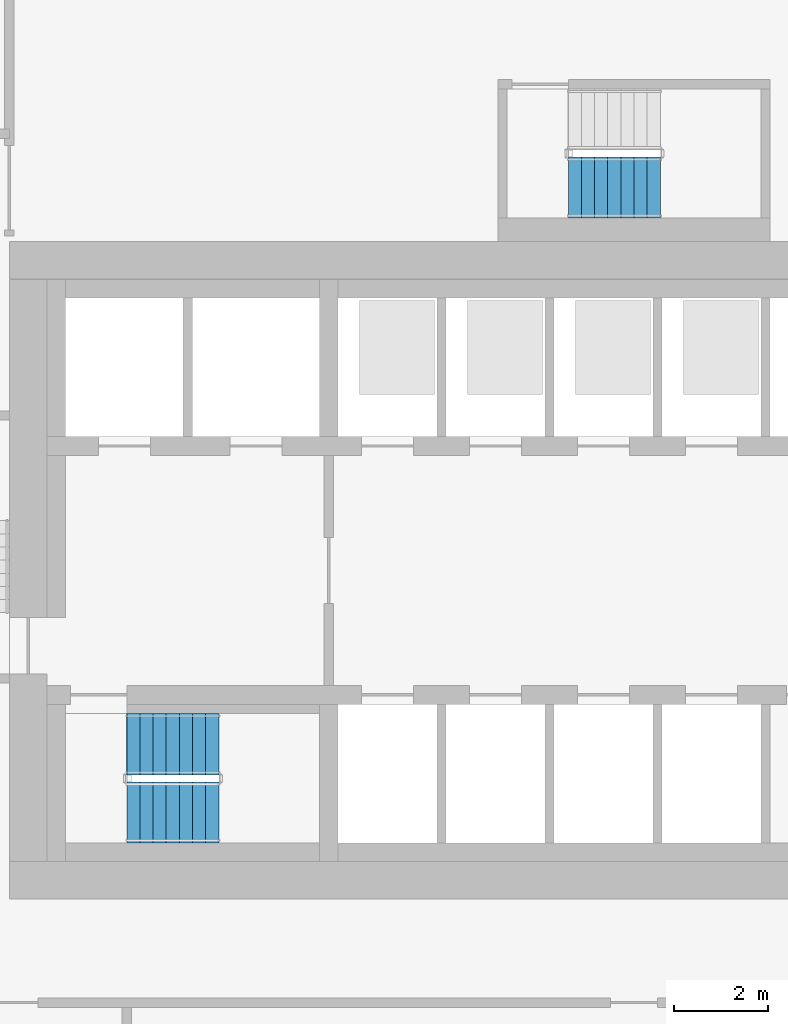
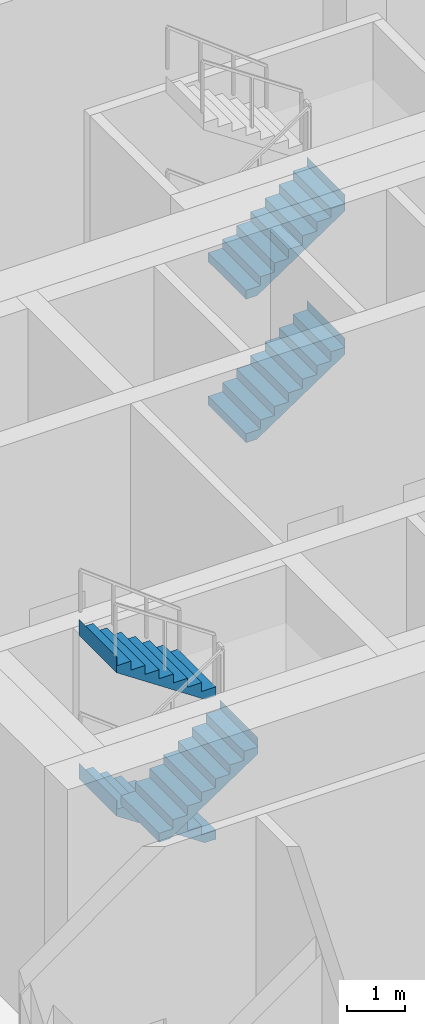
# One storey, part 19 of 27: 5 stair flights, 2 elements without a shape of their own.
"""IFC4 building model written with IfcOpenShell, lengths in metres."""

from ifc_helpers import new_model, si_unit, direction, frame, origin, place, context, subcontext, project, spatial, triangles, material, type_object, element, aggregate, save


model = new_model("IFC4")

# Units and contexts
model_context = context("Model", 3, precision=1e-05, world=origin(), true_north=direction((0.0, 1.0)))
body_context = subcontext(model_context, "Body", "Model", "MODEL_VIEW")
ifc_project = project(units=[si_unit("LENGTHUNIT", "METRE"), si_unit("AREAUNIT", "SQUARE_METRE"), si_unit("VOLUMEUNIT", "CUBIC_METRE"), si_unit("PLANEANGLEUNIT", "RADIAN"), si_unit("MASSUNIT", "GRAM", prefix="KILO")], contexts=[model_context])

# Site, building, storey
site_placement = place(None, origin())
site = spatial("IfcSite", under=ifc_project, at=site_placement, CompositionType="ELEMENT")
building_placement = place(site_placement, origin())
building = spatial("IfcBuilding", under=site, at=building_placement, Name="Beryl Residences", CompositionType="ELEMENT")
storey_placement = place(building_placement, frame((0.0, 0.0, 111.60009765625)))
storey = spatial("IfcBuildingStorey", under=building, at=storey_placement, Name="L34", CompositionType="ELEMENT", Elevation=111.60009765625)

# Stair, stair flights
ifc_material_1 = material(Name="Concrete C40/50", Category="concrete")
stair_type = type_object("IfcStairType", Name="ST1 protected exit stair, half-turn, 1300 mm flights", PredefinedType="HALF_TURN_STAIR", material=ifc_material_1)
stair_1_placement = place(storey_placement, origin())
stair_1 = element("IfcStair", 1, at=stair_1_placement, inside=storey, type_object=stair_type, Name="L34 PROTECTED EXIT STAIR ST-1", PredefinedType="HALF_TURN_STAIR")
ifc_material_2 = material(Name="Concrete C40/50", Category="concrete")
stair_flight_type = type_object("IfcStairFlightType", Name="SF1 stair flight 1300 mm", PredefinedType="STRAIGHT", material=ifc_material_2)
stair_flight_1_placement = place(storey_placement, frame((-8.840087890625, -15.699951171875, 1.5), z_axis=(0.0, 0.0, 1.0), x_axis=(-1.0, 0.0, 0.0)))
stair_flight_1 = element("IfcStairFlight", 2, at=stair_flight_1_placement, type_object=stair_flight_type, Name="ST-1 flight 2", NumberOfRisers=8, NumberOfTreads=7, PredefinedType="STRAIGHT", RiserHeight=0.1875, TreadLength=0.28, context=body_context, shape_type="Tessellation", body=[
    triangles([(0.0, -0.64990234375, 0.0), (0.0, -0.324951171875, 0.0), (0.0, 0.0, 0.0), (0.0, 0.324951171875, 0.0), (0.0, 0.64990234375, 0.0), (0.0, -0.64990234375, 0.1875), (0.0, -0.324951171875, 0.1875), (0.0, 0.0, 0.1875), (0.0, 0.324951171875, 0.1875), (0.0, 0.64990234375, 0.1875), (0.280029296875, -0.64990234375, 0.1875), (0.280029296875, -0.324951171875, 0.1875), (0.280029296875, 0.0, 0.1875), (0.280029296875, 0.324951171875, 0.1875), (0.280029296875, 0.64990234375, 0.1875), (0.280029296875, -0.64990234375, 0.375), (0.280029296875, -0.324951171875, 0.375), (0.280029296875, 0.0, 0.375), (0.280029296875, 0.324951171875, 0.375), (0.280029296875, 0.64990234375, 0.375), (0.56005859375, -0.64990234375, 0.375), (0.56005859375, -0.324951171875, 0.375), (0.56005859375, 0.0, 0.375), (0.56005859375, 0.324951171875, 0.375), (0.56005859375, 0.64990234375, 0.375), (0.56005859375, -0.64990234375, 0.5625), (0.56005859375, -0.324951171875, 0.5625), (0.56005859375, 0.0, 0.5625), (0.56005859375, 0.324951171875, 0.5625), (0.56005859375, 0.64990234375, 0.5625), (0.840087890625, -0.64990234375, 0.5625), (0.840087890625, -0.324951171875, 0.5625), (0.840087890625, 0.0, 0.5625), (0.840087890625, 0.324951171875, 0.5625), (0.840087890625, 0.64990234375, 0.5625), (0.840087890625, -0.64990234375, 0.75), (0.840087890625, -0.324951171875, 0.75), (0.840087890625, 0.0, 0.75), (0.840087890625, 0.324951171875, 0.75), (0.840087890625, 0.64990234375, 0.75), (1.1201171875, -0.64990234375, 0.75), (1.1201171875, -0.324951171875, 0.75), (1.1201171875, 0.0, 0.75), (1.1201171875, 0.324951171875, 0.75), (1.1201171875, 0.64990234375, 0.75), (1.1201171875, -0.64990234375, 0.9375), (1.1201171875, -0.324951171875, 0.9375), (1.1201171875, 0.0, 0.9375), (1.1201171875, 0.324951171875, 0.9375), (1.1201171875, 0.64990234375, 0.9375), (1.39990234375, -0.64990234375, 0.9375), (1.39990234375, -0.324951171875, 0.9375), (1.39990234375, 0.0, 0.9375), (1.39990234375, 0.324951171875, 0.9375), (1.39990234375, 0.64990234375, 0.9375), (1.39990234375, -0.64990234375, 1.125), (1.39990234375, -0.324951171875, 1.125), (1.39990234375, 0.0, 1.125), (1.39990234375, 0.324951171875, 1.125), (1.39990234375, 0.64990234375, 1.125), (1.679931640625, -0.64990234375, 1.125), (1.679931640625, -0.324951171875, 1.125), (1.679931640625, 0.0, 1.125), (1.679931640625, 0.324951171875, 1.125), (1.679931640625, 0.64990234375, 1.125), (1.679931640625, -0.64990234375, 1.3125), (1.679931640625, -0.324951171875, 1.3125), (1.679931640625, 0.0, 1.3125), (1.679931640625, 0.324951171875, 1.3125), (1.679931640625, 0.64990234375, 1.3125), (1.9599609375, -0.64990234375, 1.3125), (1.9599609375, -0.324951171875, 1.3125), (1.9599609375, 0.0, 1.3125), (1.9599609375, 0.324951171875, 1.3125), (1.9599609375, 0.64990234375, 1.3125), (1.9599609375, -0.64990234375, 1.5), (1.9599609375, -0.324951171875, 1.5), (1.9599609375, 0.0, 1.5), (1.9599609375, 0.324951171875, 1.5), (1.9599609375, 0.64990234375, 1.5), (1.9609375, -0.64990234375, 1.5), (1.9609375, -0.324951171875, 1.5), (1.9609375, 0.0, 1.5), (1.9609375, 0.324951171875, 1.5), (1.9609375, 0.64990234375, 1.5), (1.9609375, -0.64990234375, 1.16796875), (1.9609375, -0.324951171875, 1.16796875), (1.9609375, 0.0, 1.16796875), (1.9609375, 0.324951171875, 1.16796875), (1.9609375, 0.64990234375, 1.16796875), (0.216796875, -0.64990234375, 0.0), (0.216796875, -0.324951171875, 0.0), (0.216796875, 0.0, 0.0), (0.216796875, 0.324951171875, 0.0), (0.216796875, 0.64990234375, 0.0)], [[1, 6, 7], [1, 7, 2], [2, 7, 8], [2, 8, 3], [3, 8, 9], [3, 9, 4], [4, 9, 10], [4, 10, 5], [6, 11, 12], [6, 12, 7], [7, 12, 13], [7, 13, 8], [8, 13, 14], [8, 14, 9], [9, 14, 15], [9, 15, 10], [11, 16, 17], [11, 17, 12], [12, 17, 18], [12, 18, 13], [13, 18, 19], [13, 19, 14], [14, 19, 20], [14, 20, 15], [16, 21, 22], [16, 22, 17], [17, 22, 23], [17, 23, 18], [18, 23, 24], [18, 24, 19], [19, 24, 25], [19, 25, 20], [21, 26, 27], [21, 27, 22], [22, 27, 28], [22, 28, 23], [23, 28, 29], [23, 29, 24], [24, 29, 30], [24, 30, 25], [26, 31, 32], [26, 32, 27], [27, 32, 33], [27, 33, 28], [28, 33, 34], [28, 34, 29], [29, 34, 35], [29, 35, 30], [31, 36, 37], [31, 37, 32], [32, 37, 38], [32, 38, 33], [33, 38, 39], [33, 39, 34], [34, 39, 40], [34, 40, 35], [36, 41, 42], [36, 42, 37], [37, 42, 43], [37, 43, 38], [38, 43, 44], [38, 44, 39], [39, 44, 45], [39, 45, 40], [41, 46, 47], [41, 47, 42], [42, 47, 48], [42, 48, 43], [43, 48, 49], [43, 49, 44], [44, 49, 50], [44, 50, 45], [46, 51, 52], [46, 52, 47], [47, 52, 53], [47, 53, 48], [48, 53, 54], [48, 54, 49], [49, 54, 55], [49, 55, 50], [51, 56, 57], [51, 57, 52], [52, 57, 58], [52, 58, 53], [53, 58, 59], [53, 59, 54], [54, 59, 60], [54, 60, 55], [56, 61, 62], [56, 62, 57], [57, 62, 63], [57, 63, 58], [58, 63, 64], [58, 64, 59], [59, 64, 65], [59, 65, 60], [61, 66, 67], [61, 67, 62], [62, 67, 68], [62, 68, 63], [63, 68, 69], [63, 69, 64], [64, 69, 70], [64, 70, 65], [66, 71, 72], [66, 72, 67], [67, 72, 73], [67, 73, 68], [68, 73, 74], [68, 74, 69], [69, 74, 75], [69, 75, 70], [71, 76, 77], [71, 77, 72], [72, 77, 78], [72, 78, 73], [73, 78, 79], [73, 79, 74], [74, 79, 80], [74, 80, 75], [76, 81, 82], [76, 82, 77], [77, 82, 83], [77, 83, 78], [78, 83, 84], [78, 84, 79], [79, 84, 85], [79, 85, 80], [81, 86, 87], [81, 87, 82], [82, 87, 88], [82, 88, 83], [83, 88, 89], [83, 89, 84], [84, 89, 90], [84, 90, 85], [86, 91, 92], [86, 92, 87], [87, 92, 93], [87, 93, 88], [88, 93, 94], [88, 94, 89], [89, 94, 95], [89, 95, 90], [91, 1, 2], [91, 2, 92], [92, 2, 3], [92, 3, 93], [93, 3, 4], [93, 4, 94], [94, 4, 5], [94, 5, 95], [1, 91, 86], [5, 90, 95], [86, 81, 76], [90, 80, 85], [86, 76, 71], [90, 75, 80], [86, 71, 66], [90, 70, 75], [86, 66, 61], [90, 65, 70], [61, 56, 51], [65, 55, 60], [86, 61, 51], [90, 55, 65], [51, 46, 41], [55, 45, 50], [86, 51, 41], [90, 45, 55], [41, 36, 31], [45, 35, 40], [86, 41, 31], [90, 35, 45], [31, 26, 21], [35, 25, 30], [86, 31, 21], [90, 25, 35], [21, 16, 11], [25, 15, 20], [86, 21, 11], [90, 15, 25], [1, 86, 11], [5, 15, 90], [11, 6, 1], [15, 5, 10]], closed=True),
])
stair_flight_2_placement = place(storey_placement, frame((-10.800048828125, -17.14990234375, 3.0), z_axis=(0.0, 0.0, 1.0), x_axis=(1.0, 0.0, 0.0)))
stair_flight_2 = element("IfcStairFlight", 3, at=stair_flight_2_placement, type_object=stair_flight_type, Name="ST-1 flight 3", NumberOfRisers=8, NumberOfTreads=7, PredefinedType="STRAIGHT", RiserHeight=0.1875, TreadLength=0.28, context=body_context, shape_type="Tessellation", body=[
    triangles([(0.0, -0.64990234375, 0.0), (0.0, -0.324951171875, 0.0), (0.0, 0.0, 0.0), (0.0, 0.324951171875, 0.0), (0.0, 0.64990234375, 0.0), (0.0, -0.64990234375, 0.1875), (0.0, -0.324951171875, 0.1875), (0.0, 0.0, 0.1875), (0.0, 0.324951171875, 0.1875), (0.0, 0.64990234375, 0.1875), (0.280029296875, -0.64990234375, 0.1875), (0.280029296875, -0.324951171875, 0.1875), (0.280029296875, 0.0, 0.1875), (0.280029296875, 0.324951171875, 0.1875), (0.280029296875, 0.64990234375, 0.1875), (0.280029296875, -0.64990234375, 0.375), (0.280029296875, -0.324951171875, 0.375), (0.280029296875, 0.0, 0.375), (0.280029296875, 0.324951171875, 0.375), (0.280029296875, 0.64990234375, 0.375), (0.56005859375, -0.64990234375, 0.375), (0.56005859375, -0.324951171875, 0.375), (0.56005859375, 0.0, 0.375), (0.56005859375, 0.324951171875, 0.375), (0.56005859375, 0.64990234375, 0.375), (0.56005859375, -0.64990234375, 0.5625), (0.56005859375, -0.324951171875, 0.5625), (0.56005859375, 0.0, 0.5625), (0.56005859375, 0.324951171875, 0.5625), (0.56005859375, 0.64990234375, 0.5625), (0.840087890625, -0.64990234375, 0.5625), (0.840087890625, -0.324951171875, 0.5625), (0.840087890625, 0.0, 0.5625), (0.840087890625, 0.324951171875, 0.5625), (0.840087890625, 0.64990234375, 0.5625), (0.840087890625, -0.64990234375, 0.75), (0.840087890625, -0.324951171875, 0.75), (0.840087890625, 0.0, 0.75), (0.840087890625, 0.324951171875, 0.75), (0.840087890625, 0.64990234375, 0.75), (1.1201171875, -0.64990234375, 0.75), (1.1201171875, -0.324951171875, 0.75), (1.1201171875, 0.0, 0.75), (1.1201171875, 0.324951171875, 0.75), (1.1201171875, 0.64990234375, 0.75), (1.1201171875, -0.64990234375, 0.9375), (1.1201171875, -0.324951171875, 0.9375), (1.1201171875, 0.0, 0.9375), (1.1201171875, 0.324951171875, 0.9375), (1.1201171875, 0.64990234375, 0.9375), (1.39990234375, -0.64990234375, 0.9375), (1.39990234375, -0.324951171875, 0.9375), (1.39990234375, 0.0, 0.9375), (1.39990234375, 0.324951171875, 0.9375), (1.39990234375, 0.64990234375, 0.9375), (1.39990234375, -0.64990234375, 1.125), (1.39990234375, -0.324951171875, 1.125), (1.39990234375, 0.0, 1.125), (1.39990234375, 0.324951171875, 1.125), (1.39990234375, 0.64990234375, 1.125), (1.679931640625, -0.64990234375, 1.125), (1.679931640625, -0.324951171875, 1.125), (1.679931640625, 0.0, 1.125), (1.679931640625, 0.324951171875, 1.125), (1.679931640625, 0.64990234375, 1.125), (1.679931640625, -0.64990234375, 1.3125), (1.679931640625, -0.324951171875, 1.3125), (1.679931640625, 0.0, 1.3125), (1.679931640625, 0.324951171875, 1.3125), (1.679931640625, 0.64990234375, 1.3125), (1.9599609375, -0.64990234375, 1.3125), (1.9599609375, -0.324951171875, 1.3125), (1.9599609375, 0.0, 1.3125), (1.9599609375, 0.324951171875, 1.3125), (1.9599609375, 0.64990234375, 1.3125), (1.9599609375, -0.64990234375, 1.5), (1.9599609375, -0.324951171875, 1.5), (1.9599609375, 0.0, 1.5), (1.9599609375, 0.324951171875, 1.5), (1.9599609375, 0.64990234375, 1.5), (1.9609375, -0.64990234375, 1.5), (1.9609375, -0.324951171875, 1.5), (1.9609375, 0.0, 1.5), (1.9609375, 0.324951171875, 1.5), (1.9609375, 0.64990234375, 1.5), (1.9609375, -0.64990234375, 1.16796875), (1.9609375, -0.324951171875, 1.16796875), (1.9609375, 0.0, 1.16796875), (1.9609375, 0.324951171875, 1.16796875), (1.9609375, 0.64990234375, 1.16796875), (0.216796875, -0.64990234375, 0.0), (0.216796875, -0.324951171875, 0.0), (0.216796875, 0.0, 0.0), (0.216796875, 0.324951171875, 0.0), (0.216796875, 0.64990234375, 0.0)], [[1, 6, 7], [1, 7, 2], [2, 7, 8], [2, 8, 3], [3, 8, 9], [3, 9, 4], [4, 9, 10], [4, 10, 5], [6, 11, 12], [6, 12, 7], [7, 12, 13], [7, 13, 8], [8, 13, 14], [8, 14, 9], [9, 14, 15], [9, 15, 10], [11, 16, 17], [11, 17, 12], [12, 17, 18], [12, 18, 13], [13, 18, 19], [13, 19, 14], [14, 19, 20], [14, 20, 15], [16, 21, 22], [16, 22, 17], [17, 22, 23], [17, 23, 18], [18, 23, 24], [18, 24, 19], [19, 24, 25], [19, 25, 20], [21, 26, 27], [21, 27, 22], [22, 27, 28], [22, 28, 23], [23, 28, 29], [23, 29, 24], [24, 29, 30], [24, 30, 25], [26, 31, 32], [26, 32, 27], [27, 32, 33], [27, 33, 28], [28, 33, 34], [28, 34, 29], [29, 34, 35], [29, 35, 30], [31, 36, 37], [31, 37, 32], [32, 37, 38], [32, 38, 33], [33, 38, 39], [33, 39, 34], [34, 39, 40], [34, 40, 35], [36, 41, 42], [36, 42, 37], [37, 42, 43], [37, 43, 38], [38, 43, 44], [38, 44, 39], [39, 44, 45], [39, 45, 40], [41, 46, 47], [41, 47, 42], [42, 47, 48], [42, 48, 43], [43, 48, 49], [43, 49, 44], [44, 49, 50], [44, 50, 45], [46, 51, 52], [46, 52, 47], [47, 52, 53], [47, 53, 48], [48, 53, 54], [48, 54, 49], [49, 54, 55], [49, 55, 50], [51, 56, 57], [51, 57, 52], [52, 57, 58], [52, 58, 53], [53, 58, 59], [53, 59, 54], [54, 59, 60], [54, 60, 55], [56, 61, 62], [56, 62, 57], [57, 62, 63], [57, 63, 58], [58, 63, 64], [58, 64, 59], [59, 64, 65], [59, 65, 60], [61, 66, 67], [61, 67, 62], [62, 67, 68], [62, 68, 63], [63, 68, 69], [63, 69, 64], [64, 69, 70], [64, 70, 65], [66, 71, 72], [66, 72, 67], [67, 72, 73], [67, 73, 68], [68, 73, 74], [68, 74, 69], [69, 74, 75], [69, 75, 70], [71, 76, 77], [71, 77, 72], [72, 77, 78], [72, 78, 73], [73, 78, 79], [73, 79, 74], [74, 79, 80], [74, 80, 75], [76, 81, 82], [76, 82, 77], [77, 82, 83], [77, 83, 78], [78, 83, 84], [78, 84, 79], [79, 84, 85], [79, 85, 80], [81, 86, 87], [81, 87, 82], [82, 87, 88], [82, 88, 83], [83, 88, 89], [83, 89, 84], [84, 89, 90], [84, 90, 85], [86, 91, 92], [86, 92, 87], [87, 92, 93], [87, 93, 88], [88, 93, 94], [88, 94, 89], [89, 94, 95], [89, 95, 90], [91, 1, 2], [91, 2, 92], [92, 2, 3], [92, 3, 93], [93, 3, 4], [93, 4, 94], [94, 4, 5], [94, 5, 95], [1, 91, 86], [5, 90, 95], [86, 81, 76], [90, 80, 85], [86, 76, 71], [90, 75, 80], [86, 71, 66], [90, 70, 75], [86, 66, 61], [90, 65, 70], [61, 56, 51], [65, 55, 60], [86, 61, 51], [90, 55, 65], [51, 46, 41], [55, 45, 50], [86, 51, 41], [90, 45, 55], [41, 36, 31], [45, 35, 40], [86, 41, 31], [90, 35, 45], [31, 26, 21], [35, 25, 30], [86, 31, 21], [90, 25, 35], [21, 16, 11], [25, 15, 20], [86, 21, 11], [90, 15, 25], [1, 86, 11], [5, 15, 90], [11, 6, 1], [15, 5, 10]], closed=True),
])
stair_flight_3_placement = place(storey_placement, frame((-8.840087890625, -15.699951171875, 4.5), z_axis=(0.0, 0.0, 1.0), x_axis=(-1.0, 0.0, 0.0)))
stair_flight_3 = element("IfcStairFlight", 4, at=stair_flight_3_placement, type_object=stair_flight_type, Name="ST-1 flight 4", NumberOfRisers=8, NumberOfTreads=7, PredefinedType="STRAIGHT", RiserHeight=0.1875, TreadLength=0.28, context=body_context, shape_type="Tessellation", body=[
    triangles([(0.0, -0.64990234375, 0.0), (0.0, -0.324951171875, 0.0), (0.0, 0.0, 0.0), (0.0, 0.324951171875, 0.0), (0.0, 0.64990234375, 0.0), (0.0, -0.64990234375, 0.1875), (0.0, -0.324951171875, 0.1875), (0.0, 0.0, 0.1875), (0.0, 0.324951171875, 0.1875), (0.0, 0.64990234375, 0.1875), (0.280029296875, -0.64990234375, 0.1875), (0.280029296875, -0.324951171875, 0.1875), (0.280029296875, 0.0, 0.1875), (0.280029296875, 0.324951171875, 0.1875), (0.280029296875, 0.64990234375, 0.1875), (0.280029296875, -0.64990234375, 0.375), (0.280029296875, -0.324951171875, 0.375), (0.280029296875, 0.0, 0.375), (0.280029296875, 0.324951171875, 0.375), (0.280029296875, 0.64990234375, 0.375), (0.56005859375, -0.64990234375, 0.375), (0.56005859375, -0.324951171875, 0.375), (0.56005859375, 0.0, 0.375), (0.56005859375, 0.324951171875, 0.375), (0.56005859375, 0.64990234375, 0.375), (0.56005859375, -0.64990234375, 0.5625), (0.56005859375, -0.324951171875, 0.5625), (0.56005859375, 0.0, 0.5625), (0.56005859375, 0.324951171875, 0.5625), (0.56005859375, 0.64990234375, 0.5625), (0.840087890625, -0.64990234375, 0.5625), (0.840087890625, -0.324951171875, 0.5625), (0.840087890625, 0.0, 0.5625), (0.840087890625, 0.324951171875, 0.5625), (0.840087890625, 0.64990234375, 0.5625), (0.840087890625, -0.64990234375, 0.75), (0.840087890625, -0.324951171875, 0.75), (0.840087890625, 0.0, 0.75), (0.840087890625, 0.324951171875, 0.75), (0.840087890625, 0.64990234375, 0.75), (1.1201171875, -0.64990234375, 0.75), (1.1201171875, -0.324951171875, 0.75), (1.1201171875, 0.0, 0.75), (1.1201171875, 0.324951171875, 0.75), (1.1201171875, 0.64990234375, 0.75), (1.1201171875, -0.64990234375, 0.9375), (1.1201171875, -0.324951171875, 0.9375), (1.1201171875, 0.0, 0.9375), (1.1201171875, 0.324951171875, 0.9375), (1.1201171875, 0.64990234375, 0.9375), (1.39990234375, -0.64990234375, 0.9375), (1.39990234375, -0.324951171875, 0.9375), (1.39990234375, 0.0, 0.9375), (1.39990234375, 0.324951171875, 0.9375), (1.39990234375, 0.64990234375, 0.9375), (1.39990234375, -0.64990234375, 1.125), (1.39990234375, -0.324951171875, 1.125), (1.39990234375, 0.0, 1.125), (1.39990234375, 0.324951171875, 1.125), (1.39990234375, 0.64990234375, 1.125), (1.679931640625, -0.64990234375, 1.125), (1.679931640625, -0.324951171875, 1.125), (1.679931640625, 0.0, 1.125), (1.679931640625, 0.324951171875, 1.125), (1.679931640625, 0.64990234375, 1.125), (1.679931640625, -0.64990234375, 1.3125), (1.679931640625, -0.324951171875, 1.3125), (1.679931640625, 0.0, 1.3125), (1.679931640625, 0.324951171875, 1.3125), (1.679931640625, 0.64990234375, 1.3125), (1.9599609375, -0.64990234375, 1.3125), (1.9599609375, -0.324951171875, 1.3125), (1.9599609375, 0.0, 1.3125), (1.9599609375, 0.324951171875, 1.3125), (1.9599609375, 0.64990234375, 1.3125), (1.9599609375, -0.64990234375, 1.5), (1.9599609375, -0.324951171875, 1.5), (1.9599609375, 0.0, 1.5), (1.9599609375, 0.324951171875, 1.5), (1.9599609375, 0.64990234375, 1.5), (1.9609375, -0.64990234375, 1.5), (1.9609375, -0.324951171875, 1.5), (1.9609375, 0.0, 1.5), (1.9609375, 0.324951171875, 1.5), (1.9609375, 0.64990234375, 1.5), (1.9609375, -0.64990234375, 1.16796875), (1.9609375, -0.324951171875, 1.16796875), (1.9609375, 0.0, 1.16796875), (1.9609375, 0.324951171875, 1.16796875), (1.9609375, 0.64990234375, 1.16796875), (0.216796875, -0.64990234375, 0.0), (0.216796875, -0.324951171875, 0.0), (0.216796875, 0.0, 0.0), (0.216796875, 0.324951171875, 0.0), (0.216796875, 0.64990234375, 0.0)], [[1, 6, 7], [1, 7, 2], [2, 7, 8], [2, 8, 3], [3, 8, 9], [3, 9, 4], [4, 9, 10], [4, 10, 5], [6, 11, 12], [6, 12, 7], [7, 12, 13], [7, 13, 8], [8, 13, 14], [8, 14, 9], [9, 14, 15], [9, 15, 10], [11, 16, 17], [11, 17, 12], [12, 17, 18], [12, 18, 13], [13, 18, 19], [13, 19, 14], [14, 19, 20], [14, 20, 15], [16, 21, 22], [16, 22, 17], [17, 22, 23], [17, 23, 18], [18, 23, 24], [18, 24, 19], [19, 24, 25], [19, 25, 20], [21, 26, 27], [21, 27, 22], [22, 27, 28], [22, 28, 23], [23, 28, 29], [23, 29, 24], [24, 29, 30], [24, 30, 25], [26, 31, 32], [26, 32, 27], [27, 32, 33], [27, 33, 28], [28, 33, 34], [28, 34, 29], [29, 34, 35], [29, 35, 30], [31, 36, 37], [31, 37, 32], [32, 37, 38], [32, 38, 33], [33, 38, 39], [33, 39, 34], [34, 39, 40], [34, 40, 35], [36, 41, 42], [36, 42, 37], [37, 42, 43], [37, 43, 38], [38, 43, 44], [38, 44, 39], [39, 44, 45], [39, 45, 40], [41, 46, 47], [41, 47, 42], [42, 47, 48], [42, 48, 43], [43, 48, 49], [43, 49, 44], [44, 49, 50], [44, 50, 45], [46, 51, 52], [46, 52, 47], [47, 52, 53], [47, 53, 48], [48, 53, 54], [48, 54, 49], [49, 54, 55], [49, 55, 50], [51, 56, 57], [51, 57, 52], [52, 57, 58], [52, 58, 53], [53, 58, 59], [53, 59, 54], [54, 59, 60], [54, 60, 55], [56, 61, 62], [56, 62, 57], [57, 62, 63], [57, 63, 58], [58, 63, 64], [58, 64, 59], [59, 64, 65], [59, 65, 60], [61, 66, 67], [61, 67, 62], [62, 67, 68], [62, 68, 63], [63, 68, 69], [63, 69, 64], [64, 69, 70], [64, 70, 65], [66, 71, 72], [66, 72, 67], [67, 72, 73], [67, 73, 68], [68, 73, 74], [68, 74, 69], [69, 74, 75], [69, 75, 70], [71, 76, 77], [71, 77, 72], [72, 77, 78], [72, 78, 73], [73, 78, 79], [73, 79, 74], [74, 79, 80], [74, 80, 75], [76, 81, 82], [76, 82, 77], [77, 82, 83], [77, 83, 78], [78, 83, 84], [78, 84, 79], [79, 84, 85], [79, 85, 80], [81, 86, 87], [81, 87, 82], [82, 87, 88], [82, 88, 83], [83, 88, 89], [83, 89, 84], [84, 89, 90], [84, 90, 85], [86, 91, 92], [86, 92, 87], [87, 92, 93], [87, 93, 88], [88, 93, 94], [88, 94, 89], [89, 94, 95], [89, 95, 90], [91, 1, 2], [91, 2, 92], [92, 2, 3], [92, 3, 93], [93, 3, 4], [93, 4, 94], [94, 4, 5], [94, 5, 95], [1, 91, 86], [5, 90, 95], [86, 81, 76], [90, 80, 85], [86, 76, 71], [90, 75, 80], [86, 71, 66], [90, 70, 75], [86, 66, 61], [90, 65, 70], [61, 56, 51], [65, 55, 60], [86, 61, 51], [90, 55, 65], [51, 46, 41], [55, 45, 50], [86, 51, 41], [90, 45, 55], [41, 36, 31], [45, 35, 40], [86, 41, 31], [90, 35, 45], [31, 26, 21], [35, 25, 30], [86, 31, 21], [90, 25, 35], [21, 16, 11], [25, 15, 20], [86, 21, 11], [90, 15, 25], [1, 86, 11], [5, 15, 90], [11, 6, 1], [15, 5, 10]], closed=True),
])
aggregate(stair_1, [stair_flight_1, stair_flight_2, stair_flight_3])

stair_2_placement = place(storey_placement, origin())
stair_2 = element("IfcStair", 5, at=stair_2_placement, inside=storey, type_object=stair_type, Name="L34 PROTECTED EXIT STAIR ST-4", PredefinedType="HALF_TURN_STAIR")
stair_flight_4_placement = place(storey_placement, frame((-1.39990234375, -3.85009765625, 0.0), z_axis=(0.0, 0.0, 1.0), x_axis=(1.0, 0.0, 0.0)))
stair_flight_4 = element("IfcStairFlight", 6, at=stair_flight_4_placement, type_object=stair_flight_type, Name="ST-4 flight 1", NumberOfRisers=8, NumberOfTreads=7, PredefinedType="STRAIGHT", RiserHeight=0.1875, TreadLength=0.28, context=body_context, shape_type="Tessellation", body=[
    triangles([(0.0, -0.64990234375, 0.0), (0.0, -0.324951171875, 0.0), (0.0, 0.0, 0.0), (0.0, 0.324951171875, 0.0), (0.0, 0.64990234375, 0.0), (0.0, -0.64990234375, 0.1875), (0.0, -0.324951171875, 0.1875), (0.0, 0.0, 0.1875), (0.0, 0.324951171875, 0.1875), (0.0, 0.64990234375, 0.1875), (0.280029296875, -0.64990234375, 0.1875), (0.280029296875, -0.324951171875, 0.1875), (0.280029296875, 0.0, 0.1875), (0.280029296875, 0.324951171875, 0.1875), (0.280029296875, 0.64990234375, 0.1875), (0.280029296875, -0.64990234375, 0.375), (0.280029296875, -0.324951171875, 0.375), (0.280029296875, 0.0, 0.375), (0.280029296875, 0.324951171875, 0.375), (0.280029296875, 0.64990234375, 0.375), (0.56005859375, -0.64990234375, 0.375), (0.56005859375, -0.324951171875, 0.375), (0.56005859375, 0.0, 0.375), (0.56005859375, 0.324951171875, 0.375), (0.56005859375, 0.64990234375, 0.375), (0.56005859375, -0.64990234375, 0.5625), (0.56005859375, -0.324951171875, 0.5625), (0.56005859375, 0.0, 0.5625), (0.56005859375, 0.324951171875, 0.5625), (0.56005859375, 0.64990234375, 0.5625), (0.840087890625, -0.64990234375, 0.5625), (0.840087890625, -0.324951171875, 0.5625), (0.840087890625, 0.0, 0.5625), (0.840087890625, 0.324951171875, 0.5625), (0.840087890625, 0.64990234375, 0.5625), (0.840087890625, -0.64990234375, 0.75), (0.840087890625, -0.324951171875, 0.75), (0.840087890625, 0.0, 0.75), (0.840087890625, 0.324951171875, 0.75), (0.840087890625, 0.64990234375, 0.75), (1.1201171875, -0.64990234375, 0.75), (1.1201171875, -0.324951171875, 0.75), (1.1201171875, 0.0, 0.75), (1.1201171875, 0.324951171875, 0.75), (1.1201171875, 0.64990234375, 0.75), (1.1201171875, -0.64990234375, 0.9375), (1.1201171875, -0.324951171875, 0.9375), (1.1201171875, 0.0, 0.9375), (1.1201171875, 0.324951171875, 0.9375), (1.1201171875, 0.64990234375, 0.9375), (1.39990234375, -0.64990234375, 0.9375), (1.39990234375, -0.324951171875, 0.9375), (1.39990234375, 0.0, 0.9375), (1.39990234375, 0.324951171875, 0.9375), (1.39990234375, 0.64990234375, 0.9375), (1.39990234375, -0.64990234375, 1.125), (1.39990234375, -0.324951171875, 1.125), (1.39990234375, 0.0, 1.125), (1.39990234375, 0.324951171875, 1.125), (1.39990234375, 0.64990234375, 1.125), (1.679931640625, -0.64990234375, 1.125), (1.679931640625, -0.324951171875, 1.125), (1.679931640625, 0.0, 1.125), (1.679931640625, 0.324951171875, 1.125), (1.679931640625, 0.64990234375, 1.125), (1.679931640625, -0.64990234375, 1.3125), (1.679931640625, -0.324951171875, 1.3125), (1.679931640625, 0.0, 1.3125), (1.679931640625, 0.324951171875, 1.3125), (1.679931640625, 0.64990234375, 1.3125), (1.9599609375, -0.64990234375, 1.3125), (1.9599609375, -0.324951171875, 1.3125), (1.9599609375, 0.0, 1.3125), (1.9599609375, 0.324951171875, 1.3125), (1.9599609375, 0.64990234375, 1.3125), (1.9599609375, -0.64990234375, 1.5), (1.9599609375, -0.324951171875, 1.5), (1.9599609375, 0.0, 1.5), (1.9599609375, 0.324951171875, 1.5), (1.9599609375, 0.64990234375, 1.5), (1.9609375, -0.64990234375, 1.5), (1.9609375, -0.324951171875, 1.5), (1.9609375, 0.0, 1.5), (1.9609375, 0.324951171875, 1.5), (1.9609375, 0.64990234375, 1.5), (1.9609375, -0.64990234375, 1.16796875), (1.9609375, -0.324951171875, 1.16796875), (1.9609375, 0.0, 1.16796875), (1.9609375, 0.324951171875, 1.16796875), (1.9609375, 0.64990234375, 1.16796875), (0.216796875, -0.64990234375, 0.0), (0.216796875, -0.324951171875, 0.0), (0.216796875, 0.0, 0.0), (0.216796875, 0.324951171875, 0.0), (0.216796875, 0.64990234375, 0.0)], [[1, 6, 7], [1, 7, 2], [2, 7, 8], [2, 8, 3], [3, 8, 9], [3, 9, 4], [4, 9, 10], [4, 10, 5], [6, 11, 12], [6, 12, 7], [7, 12, 13], [7, 13, 8], [8, 13, 14], [8, 14, 9], [9, 14, 15], [9, 15, 10], [11, 16, 17], [11, 17, 12], [12, 17, 18], [12, 18, 13], [13, 18, 19], [13, 19, 14], [14, 19, 20], [14, 20, 15], [16, 21, 22], [16, 22, 17], [17, 22, 23], [17, 23, 18], [18, 23, 24], [18, 24, 19], [19, 24, 25], [19, 25, 20], [21, 26, 27], [21, 27, 22], [22, 27, 28], [22, 28, 23], [23, 28, 29], [23, 29, 24], [24, 29, 30], [24, 30, 25], [26, 31, 32], [26, 32, 27], [27, 32, 33], [27, 33, 28], [28, 33, 34], [28, 34, 29], [29, 34, 35], [29, 35, 30], [31, 36, 37], [31, 37, 32], [32, 37, 38], [32, 38, 33], [33, 38, 39], [33, 39, 34], [34, 39, 40], [34, 40, 35], [36, 41, 42], [36, 42, 37], [37, 42, 43], [37, 43, 38], [38, 43, 44], [38, 44, 39], [39, 44, 45], [39, 45, 40], [41, 46, 47], [41, 47, 42], [42, 47, 48], [42, 48, 43], [43, 48, 49], [43, 49, 44], [44, 49, 50], [44, 50, 45], [46, 51, 52], [46, 52, 47], [47, 52, 53], [47, 53, 48], [48, 53, 54], [48, 54, 49], [49, 54, 55], [49, 55, 50], [51, 56, 57], [51, 57, 52], [52, 57, 58], [52, 58, 53], [53, 58, 59], [53, 59, 54], [54, 59, 60], [54, 60, 55], [56, 61, 62], [56, 62, 57], [57, 62, 63], [57, 63, 58], [58, 63, 64], [58, 64, 59], [59, 64, 65], [59, 65, 60], [61, 66, 67], [61, 67, 62], [62, 67, 68], [62, 68, 63], [63, 68, 69], [63, 69, 64], [64, 69, 70], [64, 70, 65], [66, 71, 72], [66, 72, 67], [67, 72, 73], [67, 73, 68], [68, 73, 74], [68, 74, 69], [69, 74, 75], [69, 75, 70], [71, 76, 77], [71, 77, 72], [72, 77, 78], [72, 78, 73], [73, 78, 79], [73, 79, 74], [74, 79, 80], [74, 80, 75], [76, 81, 82], [76, 82, 77], [77, 82, 83], [77, 83, 78], [78, 83, 84], [78, 84, 79], [79, 84, 85], [79, 85, 80], [81, 86, 87], [81, 87, 82], [82, 87, 88], [82, 88, 83], [83, 88, 89], [83, 89, 84], [84, 89, 90], [84, 90, 85], [86, 91, 92], [86, 92, 87], [87, 92, 93], [87, 93, 88], [88, 93, 94], [88, 94, 89], [89, 94, 95], [89, 95, 90], [91, 1, 2], [91, 2, 92], [92, 2, 3], [92, 3, 93], [93, 3, 4], [93, 4, 94], [94, 4, 5], [94, 5, 95], [1, 91, 86], [5, 90, 95], [86, 81, 76], [90, 80, 85], [86, 76, 71], [90, 75, 80], [86, 71, 66], [90, 70, 75], [86, 66, 61], [90, 65, 70], [61, 56, 51], [65, 55, 60], [86, 61, 51], [90, 55, 65], [51, 46, 41], [55, 45, 50], [86, 51, 41], [90, 45, 55], [41, 36, 31], [45, 35, 40], [86, 41, 31], [90, 35, 45], [31, 26, 21], [35, 25, 30], [86, 31, 21], [90, 25, 35], [21, 16, 11], [25, 15, 20], [86, 21, 11], [90, 15, 25], [1, 86, 11], [5, 15, 90], [11, 6, 1], [15, 5, 10]], closed=True),
])
stair_flight_5_placement = place(storey_placement, frame((-1.39990234375, -3.85009765625, 3.0), z_axis=(0.0, 0.0, 1.0), x_axis=(1.0, 0.0, 0.0)))
stair_flight_5 = element("IfcStairFlight", 7, at=stair_flight_5_placement, type_object=stair_flight_type, Name="ST-4 flight 3", NumberOfRisers=8, NumberOfTreads=7, PredefinedType="STRAIGHT", RiserHeight=0.1875, TreadLength=0.28, context=body_context, shape_type="Tessellation", body=[
    triangles([(0.0, -0.64990234375, 0.0), (0.0, -0.324951171875, 0.0), (0.0, 0.0, 0.0), (0.0, 0.324951171875, 0.0), (0.0, 0.64990234375, 0.0), (0.0, -0.64990234375, 0.1875), (0.0, -0.324951171875, 0.1875), (0.0, 0.0, 0.1875), (0.0, 0.324951171875, 0.1875), (0.0, 0.64990234375, 0.1875), (0.280029296875, -0.64990234375, 0.1875), (0.280029296875, -0.324951171875, 0.1875), (0.280029296875, 0.0, 0.1875), (0.280029296875, 0.324951171875, 0.1875), (0.280029296875, 0.64990234375, 0.1875), (0.280029296875, -0.64990234375, 0.375), (0.280029296875, -0.324951171875, 0.375), (0.280029296875, 0.0, 0.375), (0.280029296875, 0.324951171875, 0.375), (0.280029296875, 0.64990234375, 0.375), (0.56005859375, -0.64990234375, 0.375), (0.56005859375, -0.324951171875, 0.375), (0.56005859375, 0.0, 0.375), (0.56005859375, 0.324951171875, 0.375), (0.56005859375, 0.64990234375, 0.375), (0.56005859375, -0.64990234375, 0.5625), (0.56005859375, -0.324951171875, 0.5625), (0.56005859375, 0.0, 0.5625), (0.56005859375, 0.324951171875, 0.5625), (0.56005859375, 0.64990234375, 0.5625), (0.840087890625, -0.64990234375, 0.5625), (0.840087890625, -0.324951171875, 0.5625), (0.840087890625, 0.0, 0.5625), (0.840087890625, 0.324951171875, 0.5625), (0.840087890625, 0.64990234375, 0.5625), (0.840087890625, -0.64990234375, 0.75), (0.840087890625, -0.324951171875, 0.75), (0.840087890625, 0.0, 0.75), (0.840087890625, 0.324951171875, 0.75), (0.840087890625, 0.64990234375, 0.75), (1.1201171875, -0.64990234375, 0.75), (1.1201171875, -0.324951171875, 0.75), (1.1201171875, 0.0, 0.75), (1.1201171875, 0.324951171875, 0.75), (1.1201171875, 0.64990234375, 0.75), (1.1201171875, -0.64990234375, 0.9375), (1.1201171875, -0.324951171875, 0.9375), (1.1201171875, 0.0, 0.9375), (1.1201171875, 0.324951171875, 0.9375), (1.1201171875, 0.64990234375, 0.9375), (1.39990234375, -0.64990234375, 0.9375), (1.39990234375, -0.324951171875, 0.9375), (1.39990234375, 0.0, 0.9375), (1.39990234375, 0.324951171875, 0.9375), (1.39990234375, 0.64990234375, 0.9375), (1.39990234375, -0.64990234375, 1.125), (1.39990234375, -0.324951171875, 1.125), (1.39990234375, 0.0, 1.125), (1.39990234375, 0.324951171875, 1.125), (1.39990234375, 0.64990234375, 1.125), (1.679931640625, -0.64990234375, 1.125), (1.679931640625, -0.324951171875, 1.125), (1.679931640625, 0.0, 1.125), (1.679931640625, 0.324951171875, 1.125), (1.679931640625, 0.64990234375, 1.125), (1.679931640625, -0.64990234375, 1.3125), (1.679931640625, -0.324951171875, 1.3125), (1.679931640625, 0.0, 1.3125), (1.679931640625, 0.324951171875, 1.3125), (1.679931640625, 0.64990234375, 1.3125), (1.9599609375, -0.64990234375, 1.3125), (1.9599609375, -0.324951171875, 1.3125), (1.9599609375, 0.0, 1.3125), (1.9599609375, 0.324951171875, 1.3125), (1.9599609375, 0.64990234375, 1.3125), (1.9599609375, -0.64990234375, 1.5), (1.9599609375, -0.324951171875, 1.5), (1.9599609375, 0.0, 1.5), (1.9599609375, 0.324951171875, 1.5), (1.9599609375, 0.64990234375, 1.5), (1.9609375, -0.64990234375, 1.5), (1.9609375, -0.324951171875, 1.5), (1.9609375, 0.0, 1.5), (1.9609375, 0.324951171875, 1.5), (1.9609375, 0.64990234375, 1.5), (1.9609375, -0.64990234375, 1.16796875), (1.9609375, -0.324951171875, 1.16796875), (1.9609375, 0.0, 1.16796875), (1.9609375, 0.324951171875, 1.16796875), (1.9609375, 0.64990234375, 1.16796875), (0.216796875, -0.64990234375, 0.0), (0.216796875, -0.324951171875, 0.0), (0.216796875, 0.0, 0.0), (0.216796875, 0.324951171875, 0.0), (0.216796875, 0.64990234375, 0.0)], [[1, 6, 7], [1, 7, 2], [2, 7, 8], [2, 8, 3], [3, 8, 9], [3, 9, 4], [4, 9, 10], [4, 10, 5], [6, 11, 12], [6, 12, 7], [7, 12, 13], [7, 13, 8], [8, 13, 14], [8, 14, 9], [9, 14, 15], [9, 15, 10], [11, 16, 17], [11, 17, 12], [12, 17, 18], [12, 18, 13], [13, 18, 19], [13, 19, 14], [14, 19, 20], [14, 20, 15], [16, 21, 22], [16, 22, 17], [17, 22, 23], [17, 23, 18], [18, 23, 24], [18, 24, 19], [19, 24, 25], [19, 25, 20], [21, 26, 27], [21, 27, 22], [22, 27, 28], [22, 28, 23], [23, 28, 29], [23, 29, 24], [24, 29, 30], [24, 30, 25], [26, 31, 32], [26, 32, 27], [27, 32, 33], [27, 33, 28], [28, 33, 34], [28, 34, 29], [29, 34, 35], [29, 35, 30], [31, 36, 37], [31, 37, 32], [32, 37, 38], [32, 38, 33], [33, 38, 39], [33, 39, 34], [34, 39, 40], [34, 40, 35], [36, 41, 42], [36, 42, 37], [37, 42, 43], [37, 43, 38], [38, 43, 44], [38, 44, 39], [39, 44, 45], [39, 45, 40], [41, 46, 47], [41, 47, 42], [42, 47, 48], [42, 48, 43], [43, 48, 49], [43, 49, 44], [44, 49, 50], [44, 50, 45], [46, 51, 52], [46, 52, 47], [47, 52, 53], [47, 53, 48], [48, 53, 54], [48, 54, 49], [49, 54, 55], [49, 55, 50], [51, 56, 57], [51, 57, 52], [52, 57, 58], [52, 58, 53], [53, 58, 59], [53, 59, 54], [54, 59, 60], [54, 60, 55], [56, 61, 62], [56, 62, 57], [57, 62, 63], [57, 63, 58], [58, 63, 64], [58, 64, 59], [59, 64, 65], [59, 65, 60], [61, 66, 67], [61, 67, 62], [62, 67, 68], [62, 68, 63], [63, 68, 69], [63, 69, 64], [64, 69, 70], [64, 70, 65], [66, 71, 72], [66, 72, 67], [67, 72, 73], [67, 73, 68], [68, 73, 74], [68, 74, 69], [69, 74, 75], [69, 75, 70], [71, 76, 77], [71, 77, 72], [72, 77, 78], [72, 78, 73], [73, 78, 79], [73, 79, 74], [74, 79, 80], [74, 80, 75], [76, 81, 82], [76, 82, 77], [77, 82, 83], [77, 83, 78], [78, 83, 84], [78, 84, 79], [79, 84, 85], [79, 85, 80], [81, 86, 87], [81, 87, 82], [82, 87, 88], [82, 88, 83], [83, 88, 89], [83, 89, 84], [84, 89, 90], [84, 90, 85], [86, 91, 92], [86, 92, 87], [87, 92, 93], [87, 93, 88], [88, 93, 94], [88, 94, 89], [89, 94, 95], [89, 95, 90], [91, 1, 2], [91, 2, 92], [92, 2, 3], [92, 3, 93], [93, 3, 4], [93, 4, 94], [94, 4, 5], [94, 5, 95], [1, 91, 86], [5, 90, 95], [86, 81, 76], [90, 80, 85], [86, 76, 71], [90, 75, 80], [86, 71, 66], [90, 70, 75], [86, 66, 61], [90, 65, 70], [61, 56, 51], [65, 55, 60], [86, 61, 51], [90, 55, 65], [51, 46, 41], [55, 45, 50], [86, 51, 41], [90, 45, 55], [41, 36, 31], [45, 35, 40], [86, 41, 31], [90, 35, 45], [31, 26, 21], [35, 25, 30], [86, 31, 21], [90, 25, 35], [21, 16, 11], [25, 15, 20], [86, 21, 11], [90, 15, 25], [1, 86, 11], [5, 15, 90], [11, 6, 1], [15, 5, 10]], closed=True),
])
aggregate(stair_2, [stair_flight_4, stair_flight_5])

save(model, "model.ifc")
